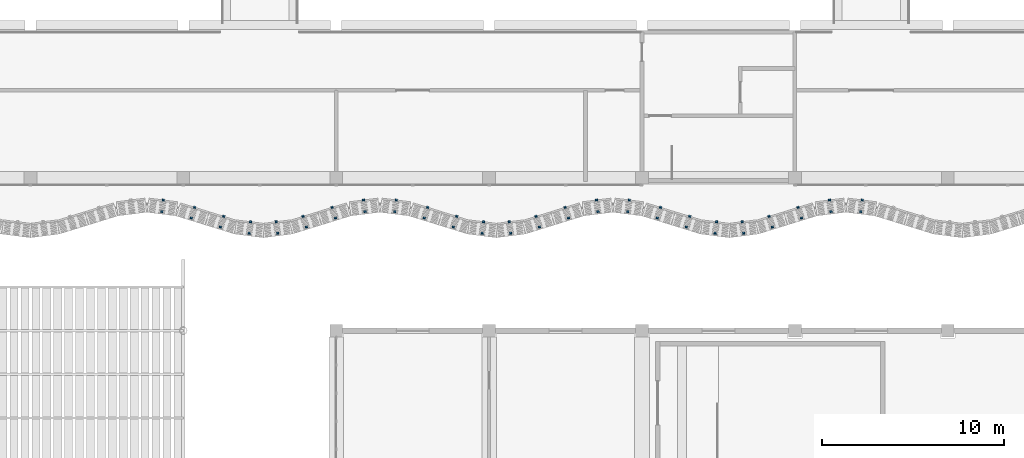
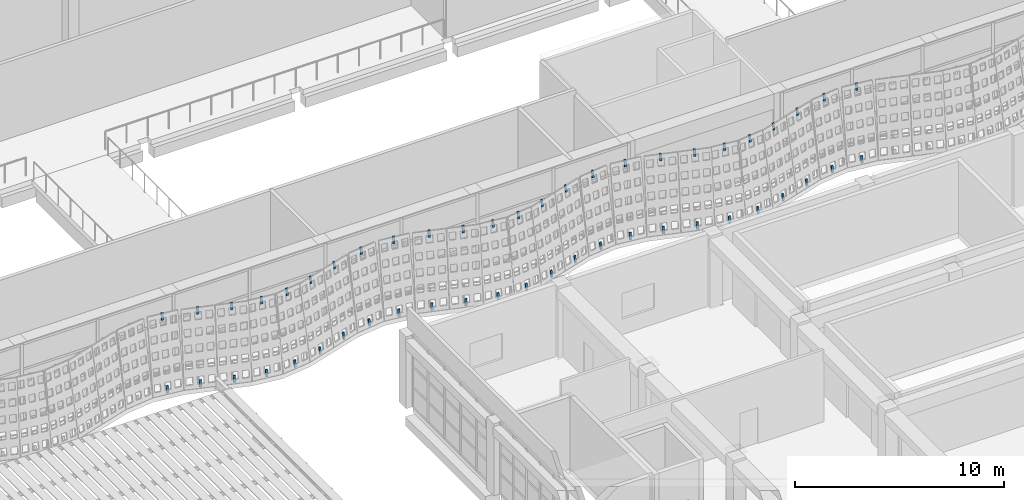
# One storey, part 109 of 162: 50 discrete accessories.
"""IFC4 building model written with IfcOpenShell, lengths in metres."""

from ifc_helpers import new_model, si_unit, direction, frame, origin, origin_2d, place, context, subcontext, project, spatial, rectangle, extrude, material, material_profile, profile_set, type_object, element, save


model = new_model("IFC4")

# Units and contexts
model_context = context("Model", 3, precision=1e-05, world=origin(), true_north=direction((0.0, 1.0)))
body_context = subcontext(model_context, "Body", "Model", "MODEL_VIEW")
ifc_project = project(units=[si_unit("LENGTHUNIT", "METRE"), si_unit("AREAUNIT", "SQUARE_METRE"), si_unit("VOLUMEUNIT", "CUBIC_METRE"), si_unit("PLANEANGLEUNIT", "RADIAN"), si_unit("MASSUNIT", "GRAM", prefix="KILO")], contexts=[model_context])

# Site, building, storey
site_placement = place(None, origin())
site = spatial("IfcSite", under=ifc_project, at=site_placement, CompositionType="ELEMENT")
building_placement = place(site_placement, origin())
building = spatial("IfcBuilding", under=site, at=building_placement, Name="Rain Tree Exposition and Congress Centre", CompositionType="ELEMENT")
storey_placement = place(building_placement, frame((0.0, 0.0, 6.0)))
storey = spatial("IfcBuildingStorey", under=building, at=storey_placement, Name="L01", CompositionType="ELEMENT", Elevation=6.0)

# Discrete accessories
ifc_material = material(Name="Steel S355J2", Category="steel")
ifc_material_profile = material_profile(ifc_material, rectangle(XDim=0.1201171875, YDim=0.050048828125, at=origin_2d()), Name="Flat bar 120x50")
ifc_profile_set = profile_set([ifc_material_profile], Name="Steel S355J2")
discrete_accessory_type = type_object("IfcDiscreteAccessoryType", Name="Screen bracket 120x50", PredefinedType="BRACKET", material=ifc_profile_set)
for number, where, z_axis, x_axis, name in (
    (1, (141.694580078125, 74.336181640625, 3.851318359375), (0.020753706516, 0.162977636468, 0.986411462665), (-0.991989449114, 0.12632075382, 0.0), "concourse/bracket/L01/0891t"),
    (2, (141.61328125, 73.701416015625, 0.004150390625), (0.020753706516, 0.162977636468, 0.986411462665), (-0.991989449114, 0.12632075382, 0.0), "concourse/bracket/L01/0891b"),
):
    element("IfcDiscreteAccessory", number, at=place(storey_placement, frame(where, z_axis=z_axis, x_axis=x_axis)), inside=storey, type_object=discrete_accessory_type, Name=name, PredefinedType="BRACKET", context=body_context, shape_type="SweptSolid", body=[
        extrude(rectangle(XDim=0.1201171875, YDim=0.050048828125, at=origin_2d()), origin(), (0.0, 0.0, 1.0), 0.39990234375),
    ])
for number, where, z_axis, x_axis, name in (
    (3, (143.4130859375, 73.936279296875, 3.85107421875), (0.04699262887, 0.150742588713, 0.987455500152), (-0.954686073127, 0.297614686764, 0.0), "concourse/bracket/L01/0901t"),
    (4, (143.23095703125, 73.347412109375, 0.00390625), (0.046988297524, 0.151338932283, 0.987364485624), (-0.955026538869, 0.296520336665, 0.0), "concourse/bracket/L01/0901b"),
    (5, (145.010009765625, 73.4423828125, 3.85107421875), (0.046383656621, 0.150746884018, 0.987483637007), (-0.955779008722, 0.294085848838, 0.0), "concourse/bracket/L01/0911t"),
    (6, (144.82763671875, 72.853515625, 0.00390625), (0.04699262887, 0.150742588713, 0.987455500152), (-0.954686073127, 0.297614686764, 0.0), "concourse/bracket/L01/0911b"),
):
    element("IfcDiscreteAccessory", number, at=place(storey_placement, frame(where, z_axis=z_axis, x_axis=x_axis)), inside=storey, type_object=discrete_accessory_type, Name=name, PredefinedType="BRACKET", context=body_context, shape_type="SweptSolid", body=[
        extrude(rectangle(XDim=0.1201171875, YDim=0.050048828125, at=origin_2d()), origin(), (0.0, 0.0, 1.0), 0.400146484375),
    ])
for number, where, z_axis, x_axis, name in (
    (7, (146.492919921875, 73.141357421875, 3.851318359375), (0.021363835031, 0.162975541524, 0.986398783159), (-0.991517377774, 0.129974188098, 0.0), "concourse/bracket/L01/0921t"),
    (8, (146.41162109375, 72.506591796875, 0.004150390625), (0.020753706516, 0.162977636468, 0.986411462665), (-0.991989449114, 0.12632075382, 0.0), "concourse/bracket/L01/0921b"),
    (9, (147.906982421875, 73.141357421875, 3.851318359375), (-0.020753706516, 0.162977636468, 0.986411462665), (-0.991989449114, -0.12632075382, 0.0), "concourse/bracket/L01/0931t"),
    (10, (147.98828125, 72.506591796875, 0.004150390625), (-0.020753706516, 0.162977636468, 0.986411462665), (-0.991989449114, -0.12632075382, 0.0), "concourse/bracket/L01/0931b"),
):
    element("IfcDiscreteAccessory", number, at=place(storey_placement, frame(where, z_axis=z_axis, x_axis=x_axis)), inside=storey, type_object=discrete_accessory_type, Name=name, PredefinedType="BRACKET", context=body_context, shape_type="SweptSolid", body=[
        extrude(rectangle(XDim=0.1201171875, YDim=0.050048828125, at=origin_2d()), origin(), (0.0, 0.0, 1.0), 0.39990234375),
    ])
for number, where, z_axis, x_axis, name in (
    (11, (149.39013671875, 73.4423828125, 3.85107421875), (-0.04699262887, 0.150742588713, 0.987455500152), (-0.954686073127, -0.297614686764, 0.0), "concourse/bracket/L01/0941t"),
    (12, (149.572265625, 72.853515625, 0.00390625), (-0.046383656621, 0.150746884018, 0.987483637007), (-0.955779008722, -0.294085848838, 0.0), "concourse/bracket/L01/0941b"),
    (13, (150.98681640625, 73.936279296875, 3.85107421875), (-0.04699262887, 0.150742588713, 0.987455500152), (-0.954686073127, -0.297614686764, 0.0), "concourse/bracket/L01/0951t"),
    (14, (151.1689453125, 73.347412109375, 0.00390625), (-0.04637938116, 0.151343243786, 0.9873926147), (-0.956111824862, -0.293002010845, 0.0), "concourse/bracket/L01/0951b"),
):
    element("IfcDiscreteAccessory", number, at=place(storey_placement, frame(where, z_axis=z_axis, x_axis=x_axis)), inside=storey, type_object=discrete_accessory_type, Name=name, PredefinedType="BRACKET", context=body_context, shape_type="SweptSolid", body=[
        extrude(rectangle(XDim=0.1201171875, YDim=0.050048828125, at=origin_2d()), origin(), (0.0, 0.0, 1.0), 0.400146484375),
    ])
for number, where, z_axis, x_axis, name in (
    (15, (152.705322265625, 74.336181640625, 3.851318359375), (-0.020753706516, 0.162977636468, 0.986411462665), (-0.991989449114, -0.12632075382, 0.0), "concourse/bracket/L01/0961t"),
    (16, (152.78662109375, 73.701416015625, 0.004150390625), (-0.020753706516, 0.162977636468, 0.986411462665), (-0.991989449114, -0.12632075382, 0.0), "concourse/bracket/L01/0961b"),
    (17, (154.49462890625, 74.336181640625, 3.851318359375), (0.020753706516, 0.162977636468, 0.986411462665), (-0.991989449114, 0.12632075382, 0.0), "concourse/bracket/L01/0971t"),
    (18, (154.413330078125, 73.701416015625, 0.004150390625), (0.020753706516, 0.162977636468, 0.986411462665), (-0.991989449114, 0.12632075382, 0.0), "concourse/bracket/L01/0971b"),
):
    element("IfcDiscreteAccessory", number, at=place(storey_placement, frame(where, z_axis=z_axis, x_axis=x_axis)), inside=storey, type_object=discrete_accessory_type, Name=name, PredefinedType="BRACKET", context=body_context, shape_type="SweptSolid", body=[
        extrude(rectangle(XDim=0.1201171875, YDim=0.050048828125, at=origin_2d()), origin(), (0.0, 0.0, 1.0), 0.39990234375),
    ])
for number, where, z_axis, x_axis, name in (
    (19, (156.213134765625, 73.936279296875, 3.85107421875), (0.04699262887, 0.150742588713, 0.987455500152), (-0.954686073127, 0.297614686764, 0.0), "concourse/bracket/L01/0981t"),
    (20, (156.031005859375, 73.347412109375, 0.00390625), (0.046988297524, 0.151338932283, 0.987364485624), (-0.955026538869, 0.296520336665, 0.0), "concourse/bracket/L01/0981b"),
    (21, (157.809814453125, 73.4423828125, 3.85107421875), (0.04699262887, 0.150742588713, 0.987455500152), (-0.954686073127, 0.297614686764, 0.0), "concourse/bracket/L01/0991t"),
    (22, (157.627685546875, 72.853515625, 0.00390625), (0.04699262887, 0.150742588713, 0.987455500152), (-0.954686073127, 0.297614686764, 0.0), "concourse/bracket/L01/0991b"),
):
    element("IfcDiscreteAccessory", number, at=place(storey_placement, frame(where, z_axis=z_axis, x_axis=x_axis)), inside=storey, type_object=discrete_accessory_type, Name=name, PredefinedType="BRACKET", context=body_context, shape_type="SweptSolid", body=[
        extrude(rectangle(XDim=0.1201171875, YDim=0.050048828125, at=origin_2d()), origin(), (0.0, 0.0, 1.0), 0.400146484375),
    ])
for number, where, z_axis, x_axis, name in (
    (23, (159.29296875, 73.141357421875, 3.851318359375), (0.021363835031, 0.162975541524, 0.986398783159), (-0.991517377774, 0.129974188098, 0.0), "concourse/bracket/L01/1001t"),
    (24, (159.211669921875, 72.506591796875, 0.004150390625), (0.020753706516, 0.162977636468, 0.986411462665), (-0.991989449114, 0.12632075382, 0.0), "concourse/bracket/L01/1001b"),
    (25, (160.70703125, 73.141357421875, 3.851318359375), (-0.021363835031, 0.162975541524, 0.986398783159), (-0.991517377774, -0.129974188098, 0.0), "concourse/bracket/L01/1011t"),
    (26, (160.788330078125, 72.506591796875, 0.004150390625), (-0.020753706516, 0.162977636468, 0.986411462665), (-0.991989449114, -0.12632075382, 0.0), "concourse/bracket/L01/1011b"),
):
    element("IfcDiscreteAccessory", number, at=place(storey_placement, frame(where, z_axis=z_axis, x_axis=x_axis)), inside=storey, type_object=discrete_accessory_type, Name=name, PredefinedType="BRACKET", context=body_context, shape_type="SweptSolid", body=[
        extrude(rectangle(XDim=0.1201171875, YDim=0.050048828125, at=origin_2d()), origin(), (0.0, 0.0, 1.0), 0.39990234375),
    ])
for number, where, z_axis, x_axis, name in (
    (27, (162.190185546875, 73.4423828125, 3.85107421875), (-0.04699262887, 0.150742588713, 0.987455500152), (-0.954686073127, -0.297614686764, 0.0), "concourse/bracket/L01/1021t"),
    (28, (162.372314453125, 72.853515625, 0.00390625), (-0.04699262887, 0.150742588713, 0.987455500152), (-0.954686073127, -0.297614686764, 0.0), "concourse/bracket/L01/1021b"),
    (29, (163.786865234375, 73.936279296875, 3.85107421875), (-0.04699262887, 0.150742588713, 0.987455500152), (-0.954686073127, -0.297614686764, 0.0), "concourse/bracket/L01/1031t"),
    (30, (163.968994140625, 73.347412109375, 0.00390625), (-0.046988297524, 0.151338932283, 0.987364485624), (-0.955026538869, -0.296520336665, 0.0), "concourse/bracket/L01/1031b"),
):
    element("IfcDiscreteAccessory", number, at=place(storey_placement, frame(where, z_axis=z_axis, x_axis=x_axis)), inside=storey, type_object=discrete_accessory_type, Name=name, PredefinedType="BRACKET", context=body_context, shape_type="SweptSolid", body=[
        extrude(rectangle(XDim=0.1201171875, YDim=0.050048828125, at=origin_2d()), origin(), (0.0, 0.0, 1.0), 0.400146484375),
    ])
for number, where, z_axis, x_axis, name in (
    (31, (165.50537109375, 74.336181640625, 3.851318359375), (-0.020753706516, 0.162977636468, 0.986411462665), (-0.991989449114, -0.12632075382, 0.0), "concourse/bracket/L01/1041t"),
    (32, (165.586669921875, 73.701416015625, 0.004150390625), (-0.020753706516, 0.162977636468, 0.986411462665), (-0.991989449114, -0.12632075382, 0.0), "concourse/bracket/L01/1041b"),
    (33, (167.294677734375, 74.336181640625, 3.851318359375), (0.020753706516, 0.162977636468, 0.986411462665), (-0.991989449114, 0.12632075382, 0.0), "concourse/bracket/L01/1051t"),
    (34, (167.21337890625, 73.701416015625, 0.004150390625), (0.020753706516, 0.162977636468, 0.986411462665), (-0.991989449114, 0.12632075382, 0.0), "concourse/bracket/L01/1051b"),
):
    element("IfcDiscreteAccessory", number, at=place(storey_placement, frame(where, z_axis=z_axis, x_axis=x_axis)), inside=storey, type_object=discrete_accessory_type, Name=name, PredefinedType="BRACKET", context=body_context, shape_type="SweptSolid", body=[
        extrude(rectangle(XDim=0.1201171875, YDim=0.050048828125, at=origin_2d()), origin(), (0.0, 0.0, 1.0), 0.39990234375),
    ])
for number, where, z_axis, x_axis, name in (
    (35, (169.01318359375, 73.936279296875, 3.85107421875), (0.04699262887, 0.150742588713, 0.987455500152), (-0.954686073127, 0.297614686764, 0.0), "concourse/bracket/L01/1061t"),
    (36, (168.8310546875, 73.347412109375, 0.00390625), (0.04637938116, 0.151343243786, 0.9873926147), (-0.956111824862, 0.293002010845, 0.0), "concourse/bracket/L01/1061b"),
    (37, (170.60986328125, 73.4423828125, 3.85107421875), (0.04699262887, 0.150742588713, 0.987455500152), (-0.954686073127, 0.297614686764, 0.0), "concourse/bracket/L01/1071t"),
    (38, (170.427734375, 72.853515625, 0.00390625), (0.046383656621, 0.150746884018, 0.987483637007), (-0.955779008722, 0.294085848838, 0.0), "concourse/bracket/L01/1071b"),
):
    element("IfcDiscreteAccessory", number, at=place(storey_placement, frame(where, z_axis=z_axis, x_axis=x_axis)), inside=storey, type_object=discrete_accessory_type, Name=name, PredefinedType="BRACKET", context=body_context, shape_type="SweptSolid", body=[
        extrude(rectangle(XDim=0.1201171875, YDim=0.050048828125, at=origin_2d()), origin(), (0.0, 0.0, 1.0), 0.400146484375),
    ])
for number, where, z_axis, x_axis, name in (
    (39, (172.093017578125, 73.141357421875, 3.851318359375), (0.020753706516, 0.162977636468, 0.986411462665), (-0.991989449114, 0.12632075382, 0.0), "concourse/bracket/L01/1081t"),
    (40, (172.01171875, 72.506591796875, 0.004150390625), (0.020753706516, 0.162977636468, 0.986411462665), (-0.991989449114, 0.12632075382, 0.0), "concourse/bracket/L01/1081b"),
    (41, (173.507080078125, 73.141357421875, 3.851318359375), (-0.021363835031, 0.162975541524, 0.986398783159), (-0.991517377774, -0.129974188098, 0.0), "concourse/bracket/L01/1091t"),
    (42, (173.58837890625, 72.506591796875, 0.004150390625), (-0.020753706516, 0.162977636468, 0.986411462665), (-0.991989449114, -0.12632075382, 0.0), "concourse/bracket/L01/1091b"),
):
    element("IfcDiscreteAccessory", number, at=place(storey_placement, frame(where, z_axis=z_axis, x_axis=x_axis)), inside=storey, type_object=discrete_accessory_type, Name=name, PredefinedType="BRACKET", context=body_context, shape_type="SweptSolid", body=[
        extrude(rectangle(XDim=0.1201171875, YDim=0.050048828125, at=origin_2d()), origin(), (0.0, 0.0, 1.0), 0.39990234375),
    ])
for number, where, z_axis, x_axis, name in (
    (43, (174.989990234375, 73.4423828125, 3.85107421875), (-0.046383656621, 0.150746884018, 0.987483637007), (-0.955779008722, -0.294085848838, 0.0), "concourse/bracket/L01/1101t"),
    (44, (175.17236328125, 72.853515625, 0.00390625), (-0.04699262887, 0.150742588713, 0.987455500152), (-0.954686073127, -0.297614686764, 0.0), "concourse/bracket/L01/1101b"),
    (45, (176.5869140625, 73.936279296875, 3.85107421875), (-0.04699262887, 0.150742588713, 0.987455500152), (-0.954686073127, -0.297614686764, 0.0), "concourse/bracket/L01/1111t"),
    (46, (176.76904296875, 73.347412109375, 0.00390625), (-0.046988297524, 0.151338932283, 0.987364485624), (-0.955026538869, -0.296520336665, 0.0), "concourse/bracket/L01/1111b"),
):
    element("IfcDiscreteAccessory", number, at=place(storey_placement, frame(where, z_axis=z_axis, x_axis=x_axis)), inside=storey, type_object=discrete_accessory_type, Name=name, PredefinedType="BRACKET", context=body_context, shape_type="SweptSolid", body=[
        extrude(rectangle(XDim=0.1201171875, YDim=0.050048828125, at=origin_2d()), origin(), (0.0, 0.0, 1.0), 0.400146484375),
    ])
for number, where, z_axis, x_axis, name in (
    (47, (178.305419921875, 74.336181640625, 3.851318359375), (-0.020753706516, 0.162977636468, 0.986411462665), (-0.991989449114, -0.12632075382, 0.0), "concourse/bracket/L01/1121t"),
    (48, (178.38671875, 73.701416015625, 0.004150390625), (-0.020753706516, 0.162977636468, 0.986411462665), (-0.991989449114, -0.12632075382, 0.0), "concourse/bracket/L01/1121b"),
    (49, (180.0947265625, 74.336181640625, 3.851318359375), (0.020753706516, 0.162977636468, 0.986411462665), (-0.991989449114, 0.12632075382, 0.0), "concourse/bracket/L01/1131t"),
    (50, (180.013427734375, 73.701416015625, 0.004150390625), (0.020753706516, 0.162977636468, 0.986411462665), (-0.991989449114, 0.12632075382, 0.0), "concourse/bracket/L01/1131b"),
):
    element("IfcDiscreteAccessory", number, at=place(storey_placement, frame(where, z_axis=z_axis, x_axis=x_axis)), inside=storey, type_object=discrete_accessory_type, Name=name, PredefinedType="BRACKET", context=body_context, shape_type="SweptSolid", body=[
        extrude(rectangle(XDim=0.1201171875, YDim=0.050048828125, at=origin_2d()), origin(), (0.0, 0.0, 1.0), 0.39990234375),
    ])

save(model, "model.ifc")
